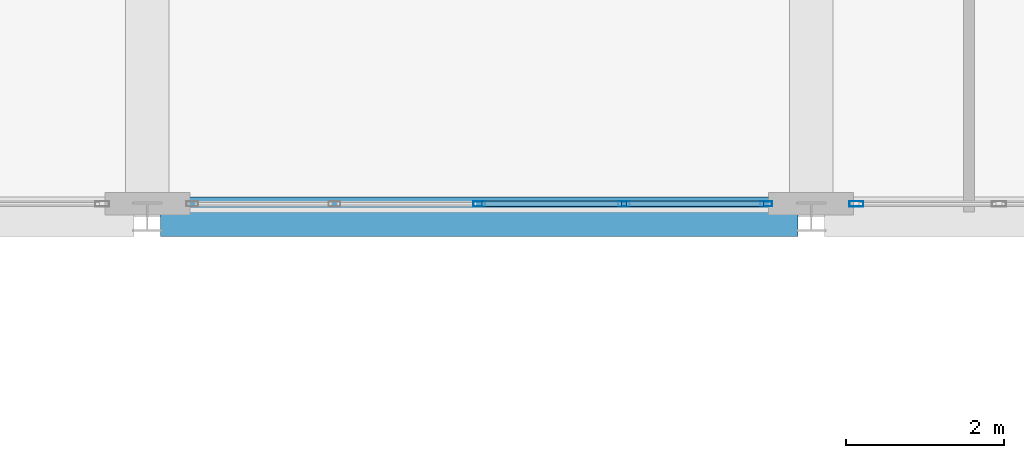
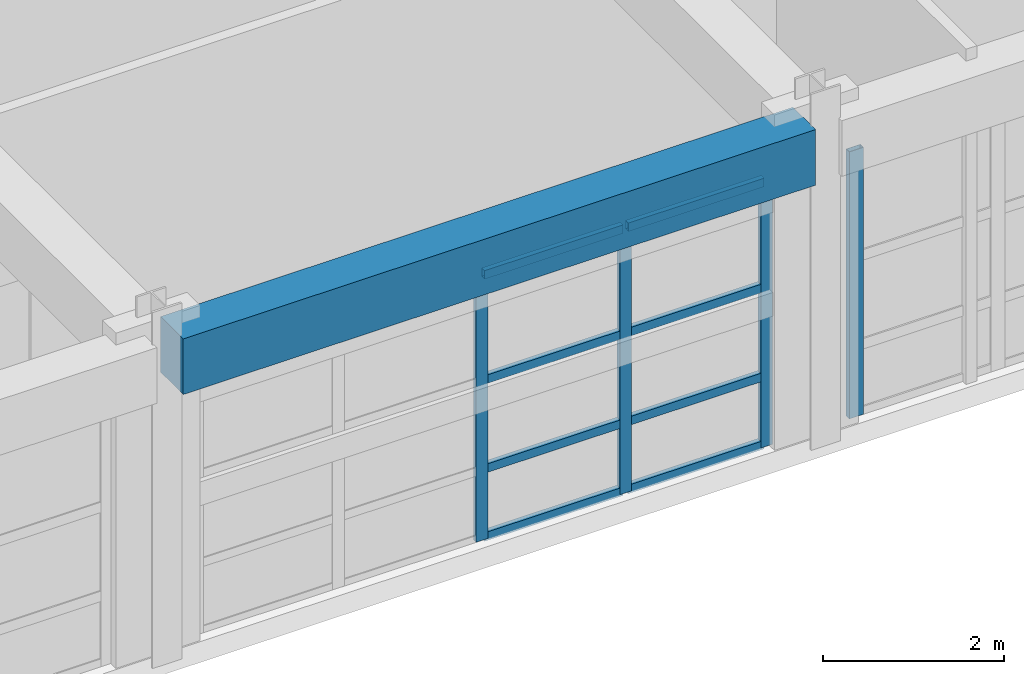
# One storey, part 75 of 123: 12 members, 1 beam, 2 elements without a shape of their own.
"""IFC4 building model written with IfcOpenShell, lengths in metres."""

from ifc_helpers import new_model, si_unit, direction, frame, origin, origin_2d, place, context, subcontext, project, spatial, rectangle, hollow_rectangle, extrude, material, layer, layer_set, material_profile, profile_set, type_object, element, aggregate, save


model = new_model("IFC4")

# Units and contexts
model_context = context("Model", 3, precision=1e-05, world=origin(), true_north=direction((0.0, 1.0)))
body_context = subcontext(model_context, "Body", "Model", "MODEL_VIEW")
ifc_project = project(units=[si_unit("LENGTHUNIT", "METRE"), si_unit("AREAUNIT", "SQUARE_METRE"), si_unit("VOLUMEUNIT", "CUBIC_METRE"), si_unit("PLANEANGLEUNIT", "RADIAN"), si_unit("MASSUNIT", "GRAM", prefix="KILO")], contexts=[model_context])

# Site, building, storey
site_placement = place(None, origin())
site = spatial("IfcSite", under=ifc_project, at=site_placement, CompositionType="ELEMENT")
building_placement = place(site_placement, origin())
building = spatial("IfcBuilding", under=site, at=building_placement, Name="Quendrovan Civic Courthouse", CompositionType="ELEMENT")
storey_placement = place(building_placement, frame((0.0, 0.0, 5.39990234375)))
storey = spatial("IfcBuildingStorey", under=building, at=storey_placement, Name="L02", CompositionType="ELEMENT", Elevation=5.39990234375)

# Beam
ifc_material_1 = material(Name="Concrete C40/50", Category="concrete")
ifc_material_profile_1 = material_profile(ifc_material_1, rectangle(XDim=0.5, YDim=0.75, at=origin_2d()), Name="RC-BM-500x750")
ifc_profile_set_1 = profile_set([ifc_material_profile_1], Name="Concrete C40/50")
beam_type = type_object("IfcBeamType", Name="BM-RC750", PredefinedType="SPANDREL", material=ifc_profile_set_1)
beam_placement = place(storey_placement, frame((134.56689453125, 87.60009765625, 3.985107421875), z_axis=(1.0, 0.0, 0.0), x_axis=(0.0, 1.0, 0.0)))
element("IfcBeam", 1, at=beam_placement, inside=storey, type_object=beam_type, Name="L02 Girder X0563", PredefinedType="SPANDREL", context=body_context, shape_type="SweptSolid", body=[
    extrude(rectangle(XDim=0.5, YDim=0.75, at=origin_2d()), origin(), (0.0, 0.0, 1.0), 8.066162109375),
])

# Curtain wall, member
ifc_material_2 = material(Name="Bronze anodised aluminium and low-E glass", Category="aluminium")
ifc_layer_1 = layer(ifc_material_2, 0.179931640625, Name="Bronze anodised aluminium and low-E glass")
ifc_layer_set_1 = layer_set([ifc_layer_1], Name="Bronze anodised aluminium and low-E glass")
curtain_wall_type_1 = type_object("IfcCurtainWallType", Name="CW-U74x36", PredefinedType="USERDEFINED", material=ifc_layer_set_1)
curtain_wall_1_placement = place(storey_placement, origin())
curtain_wall_1 = element("IfcCurtainWall", 2, at=curtain_wall_1_placement, inside=storey, type_object=curtain_wall_type_1, Name="L02 Unitised Hurricane Curtain Wall CW-100", ObjectType="UNITISED CURTAIN WALL", PredefinedType="USERDEFINED")
ifc_material_3 = material(Name="Bronze anodised aluminium", Category="aluminium")
ifc_material_profile_2 = material_profile(ifc_material_3, hollow_rectangle(XDim=0.070068359375, YDim=0.179931640625, WallThickness=0.00390625, at=origin_2d()), Name="CW-MULL-70x180")
ifc_profile_set_2 = profile_set([ifc_material_profile_2], Name="Bronze anodised aluminium")
member_type_1 = type_object("IfcMemberType", Name="CW-MULL-A", PredefinedType="MULLION", material=ifc_profile_set_2)
member_1_placement = place(storey_placement, frame((143.3720703125, 87.764892578125, 0.0), z_axis=(0.0, 0.0, 1.0), x_axis=(0.0, -1.0, 0.0)))
member_1 = element("IfcMember", 3, at=member_1_placement, type_object=member_type_1, Name="CW-100 mullion 5", PredefinedType="MULLION", context=body_context, shape_type="SweptSolid", body=[
    extrude(hollow_rectangle(XDim=0.070068359375, YDim=0.179931640625, WallThickness=0.00390625, at=origin_2d()), origin(), (0.0, 0.0, 1.0), 3.60009765625),
])
aggregate(curtain_wall_1, [member_1])

# Curtain wall, members
ifc_layer_2 = layer(ifc_material_2, 0.179931640625, Name="Bronze anodised aluminium and low-E glass")
ifc_layer_set_2 = layer_set([ifc_layer_2], Name="Bronze anodised aluminium and low-E glass")
curtain_wall_type_2 = type_object("IfcCurtainWallType", Name="CW-U73x36", PredefinedType="USERDEFINED", material=ifc_layer_set_2)
curtain_wall_2_placement = place(storey_placement, origin())
curtain_wall_2 = element("IfcCurtainWall", 4, at=curtain_wall_2_placement, inside=storey, type_object=curtain_wall_type_2, Name="L02 Unitised Hurricane Curtain Wall CW-101", ObjectType="UNITISED CURTAIN WALL", PredefinedType="USERDEFINED")
ifc_material_profile_3 = material_profile(ifc_material_3, hollow_rectangle(XDim=0.06494140625, YDim=0.14990234375, WallThickness=0.00390625, at=origin_2d()), Name="CW-MULL-65x150")
ifc_profile_set_3 = profile_set([ifc_material_profile_3], Name="Bronze anodised aluminium")
member_type_2 = type_object("IfcMemberType", Name="CW-MULL-B", PredefinedType="MULLION", material=ifc_profile_set_3)
member_2_placement = place(storey_placement, frame((142.23046875, 87.764892578125, 0.0), z_axis=(0.0, 0.0, 1.0), x_axis=(0.0, -1.0, 0.0)))
member_2 = element("IfcMember", 5, at=member_2_placement, type_object=member_type_2, Name="CW-101 mullion 1", PredefinedType="MULLION", context=body_context, shape_type="SweptSolid", body=[
    extrude(hollow_rectangle(XDim=0.06494140625, YDim=0.14990234375, WallThickness=0.00390625, at=origin_2d()), origin(), (0.0, 0.0, 1.0), 3.60009765625),
])
member_3_placement = place(storey_placement, frame((140.431396484375, 87.764892578125, 0.0), z_axis=(0.0, 0.0, 1.0), x_axis=(0.0, -1.0, 0.0)))
member_3 = element("IfcMember", 6, at=member_3_placement, type_object=member_type_2, Name="CW-101 mullion 2", PredefinedType="MULLION", context=body_context, shape_type="SweptSolid", body=[
    extrude(hollow_rectangle(XDim=0.06494140625, YDim=0.14990234375, WallThickness=0.00390625, at=origin_2d()), origin(), (0.0, 0.0, 1.0), 3.60009765625),
])
member_4_placement = place(storey_placement, frame((138.60009765625, 87.764892578125, 0.0), z_axis=(0.0, 0.0, 1.0), x_axis=(0.0, -1.0, 0.0)))
member_4 = element("IfcMember", 7, at=member_4_placement, type_object=member_type_2, Name="CW-101 mullion 3", PredefinedType="MULLION", context=body_context, shape_type="SweptSolid", body=[
    extrude(hollow_rectangle(XDim=0.06494140625, YDim=0.14990234375, WallThickness=0.00390625, at=origin_2d()), origin(), (0.0, 0.0, 1.0), 3.60009765625),
])
ifc_material_profile_4 = material_profile(ifc_material_3, hollow_rectangle(XDim=0.06494140625, YDim=0.114990234375, WallThickness=0.00390625, at=origin_2d()), Name="CW-TRAN-65x115")
ifc_profile_set_4 = profile_set([ifc_material_profile_4], Name="Bronze anodised aluminium")
member_type_3 = type_object("IfcMemberType", Name="CW-TRAN-B", PredefinedType="USERDEFINED", material=ifc_profile_set_4)
member_5_placement = place(storey_placement, frame((142.197998046875, 87.764892578125, 0.03271484375), z_axis=(-1.0, 0.0, 0.0), x_axis=(0.0, -1.0, 0.0)))
member_5 = element("IfcMember", 8, at=member_5_placement, type_object=member_type_3, Name="CW-101 transom 1.1", ObjectType="TRANSOM", PredefinedType="USERDEFINED", context=body_context, shape_type="SweptSolid", body=[
    extrude(hollow_rectangle(XDim=0.06494140625, YDim=0.114990234375, WallThickness=0.00390625, at=origin_2d()), origin(), (0.0, 0.0, 1.0), 1.73388671875),
])
member_6_placement = place(storey_placement, frame((142.197998046875, 87.764892578125, 0.9501953125), z_axis=(-1.0, 0.0, 0.0), x_axis=(0.0, -1.0, 0.0)))
member_6 = element("IfcMember", 9, at=member_6_placement, type_object=member_type_3, Name="CW-101 transom 1.2", ObjectType="TRANSOM", PredefinedType="USERDEFINED", context=body_context, shape_type="SweptSolid", body=[
    extrude(hollow_rectangle(XDim=0.06494140625, YDim=0.114990234375, WallThickness=0.00390625, at=origin_2d()), origin(), (0.0, 0.0, 1.0), 1.73388671875),
])
member_7_placement = place(storey_placement, frame((142.197998046875, 87.764892578125, 2.150146484375), z_axis=(-1.0, 0.0, 0.0), x_axis=(0.0, -1.0, 0.0)))
member_7 = element("IfcMember", 10, at=member_7_placement, type_object=member_type_3, Name="CW-101 transom 1.3", ObjectType="TRANSOM", PredefinedType="USERDEFINED", context=body_context, shape_type="SweptSolid", body=[
    extrude(hollow_rectangle(XDim=0.06494140625, YDim=0.114990234375, WallThickness=0.00390625, at=origin_2d()), origin(), (0.0, 0.0, 1.0), 1.73388671875),
])
member_8_placement = place(storey_placement, frame((142.197998046875, 87.764892578125, 3.567626953125), z_axis=(-1.0, 0.0, 0.0), x_axis=(0.0, -1.0, 0.0)))
member_8 = element("IfcMember", 11, at=member_8_placement, type_object=member_type_3, Name="CW-101 transom 1.4", ObjectType="TRANSOM", PredefinedType="USERDEFINED", context=body_context, shape_type="SweptSolid", body=[
    extrude(hollow_rectangle(XDim=0.06494140625, YDim=0.114990234375, WallThickness=0.00390625, at=origin_2d()), origin(), (0.0, 0.0, 1.0), 1.73388671875),
])
member_9_placement = place(storey_placement, frame((140.39892578125, 87.764892578125, 0.03271484375), z_axis=(-1.0, 0.0, 0.0), x_axis=(0.0, -1.0, 0.0)))
member_9 = element("IfcMember", 12, at=member_9_placement, type_object=member_type_3, Name="CW-101 transom 2.1", ObjectType="TRANSOM", PredefinedType="USERDEFINED", context=body_context, shape_type="SweptSolid", body=[
    extrude(hollow_rectangle(XDim=0.06494140625, YDim=0.114990234375, WallThickness=0.00390625, at=origin_2d()), origin(), (0.0, 0.0, 1.0), 1.766357421875),
])
member_10_placement = place(storey_placement, frame((140.39892578125, 87.764892578125, 0.9501953125), z_axis=(-1.0, 0.0, 0.0), x_axis=(0.0, -1.0, 0.0)))
member_10 = element("IfcMember", 13, at=member_10_placement, type_object=member_type_3, Name="CW-101 transom 2.2", ObjectType="TRANSOM", PredefinedType="USERDEFINED", context=body_context, shape_type="SweptSolid", body=[
    extrude(hollow_rectangle(XDim=0.06494140625, YDim=0.114990234375, WallThickness=0.00390625, at=origin_2d()), origin(), (0.0, 0.0, 1.0), 1.766357421875),
])
member_11_placement = place(storey_placement, frame((140.39892578125, 87.764892578125, 2.150146484375), z_axis=(-1.0, 0.0, 0.0), x_axis=(0.0, -1.0, 0.0)))
member_11 = element("IfcMember", 14, at=member_11_placement, type_object=member_type_3, Name="CW-101 transom 2.3", ObjectType="TRANSOM", PredefinedType="USERDEFINED", context=body_context, shape_type="SweptSolid", body=[
    extrude(hollow_rectangle(XDim=0.06494140625, YDim=0.114990234375, WallThickness=0.00390625, at=origin_2d()), origin(), (0.0, 0.0, 1.0), 1.766357421875),
])
member_12_placement = place(storey_placement, frame((140.39892578125, 87.764892578125, 3.567626953125), z_axis=(-1.0, 0.0, 0.0), x_axis=(0.0, -1.0, 0.0)))
member_12 = element("IfcMember", 15, at=member_12_placement, type_object=member_type_3, Name="CW-101 transom 2.4", ObjectType="TRANSOM", PredefinedType="USERDEFINED", context=body_context, shape_type="SweptSolid", body=[
    extrude(hollow_rectangle(XDim=0.06494140625, YDim=0.114990234375, WallThickness=0.00390625, at=origin_2d()), origin(), (0.0, 0.0, 1.0), 1.766357421875),
])
aggregate(curtain_wall_2, [member_2, member_3, member_4, member_5, member_6, member_7, member_8, member_9, member_10, member_11, member_12])

save(model, "model.ifc")
